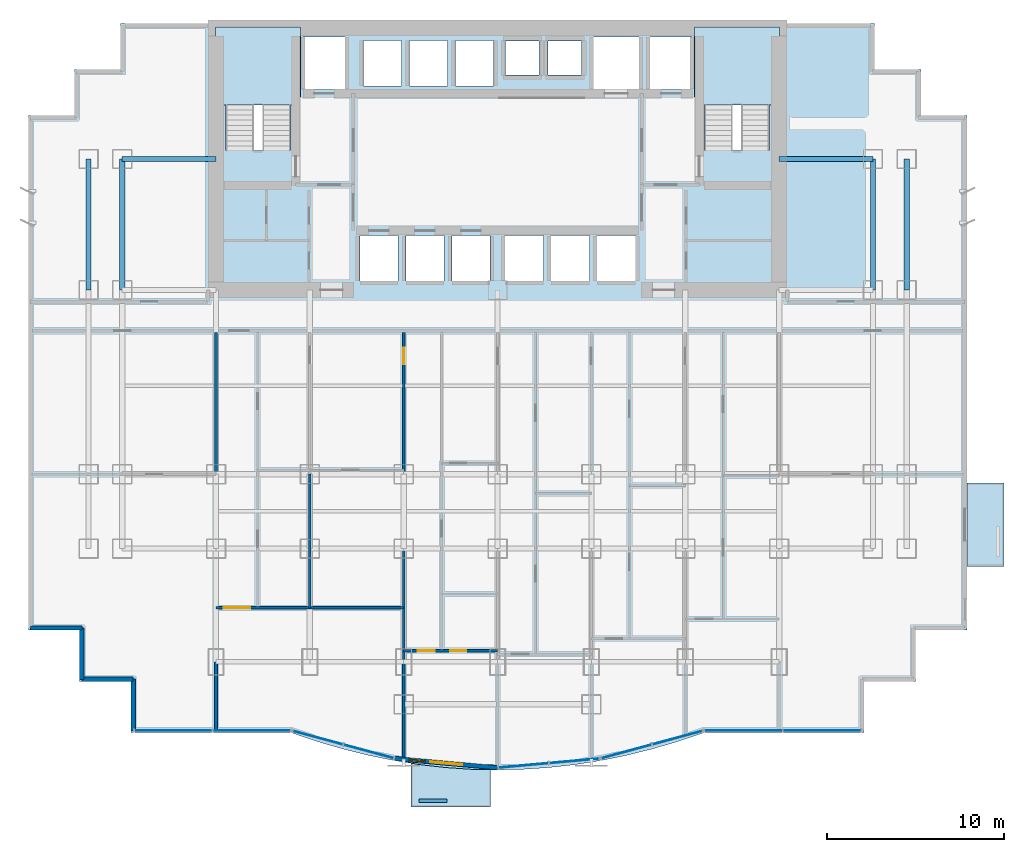
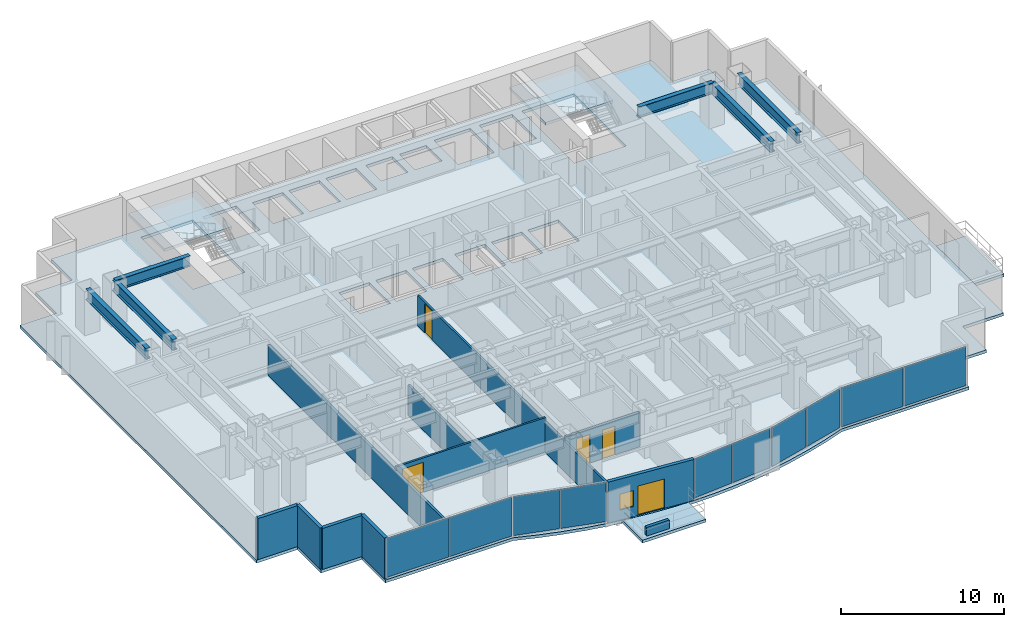
# One storey, part 4 of 10: 11 walls, 10 plates, 6 beams, 5 doors, 5 slabs, 1 window, 6 openings, 7 elements without a shape of their own.
"""IFC4 building model written with IfcOpenShell, lengths in metres."""

import ifcopenshell
import ifcopenshell.guid

model = None  # the IFC model being written
_history = None  # IfcOwnerHistory: only IFC2X3 demands one
_inside = {}  # id of a spatial element -> (the spatial element, [elements in it])
_under = {}  # id of a project, library or spatial element -> (it, [spatial elements below it])
_declared = {}  # id of a project -> (the project, [libraries it declares])
_typed = {}  # id of a type object -> (the type object, [elements of that type])
_made_of = {}  # id of a material, layer set ... -> (it, [elements and type objects made of it])


def new_model(schema):
    """Start an empty IFC model of exactly this schema.

    Asked for "IFC4X3", IfcOpenShell would pick the latest addendum, in which some entities
    have other attributes; the version numbers below select the first issue.
    IFC2X3 requires an IfcOwnerHistory on every rooted entity: one is made here for all.
    """
    global model, _history
    if schema == "IFC4X3":
        model = ifcopenshell.file(schema_version=(4, 3, 0, 0))
    else:
        model = ifcopenshell.file(schema=schema)
    _inside.clear()
    _under.clear()
    _declared.clear()
    _typed.clear()
    _made_of.clear()
    _history = None
    if model.schema == "IFC2X3":
        org = make("IfcOrganization", Name="unknown")
        user = make(
            "IfcPersonAndOrganization",
            ThePerson=make("IfcPerson", FamilyName="unknown"),
            TheOrganization=org,
        )
        app = make(
            "IfcApplication",
            ApplicationDeveloper=org,
            Version="unknown",
            ApplicationFullName="unknown",
            ApplicationIdentifier="unknown",
        )
        _history = make(
            "IfcOwnerHistory",
            OwningUser=user,
            OwningApplication=app,
            ChangeAction="ADDED",
            CreationDate=0,
        )
    return model


def make(cls, **values):
    """One entity of the class cls with the attributes given. An attribute that is None is left unset."""
    return model.create_entity(
        cls, **{name: value for name, value in values.items() if value is not None}
    )


def rooted(cls, **values):
    """An entity with a GlobalId (a new one), such as an element, a storey or a relation."""
    return make(cls, GlobalId=ifcopenshell.guid.new(), OwnerHistory=_history, **values)


def si_unit(unit_type, name, prefix=None):
    """IfcSIUnit, for example si_unit("LENGTHUNIT", "METRE", prefix="MILLI")."""
    return make("IfcSIUnit", UnitType=unit_type, Prefix=prefix, Name=name)


def assignment(units):
    """IfcUnitAssignment: the units of a project."""
    return None if units is None else make("IfcUnitAssignment", Units=units)


def point(xyz):
    """IfcCartesianPoint."""
    return None if xyz is None else make("IfcCartesianPoint", Coordinates=xyz)


def direction(xyz):
    """IfcDirection."""
    return None if xyz is None else make("IfcDirection", DirectionRatios=xyz)


def frame(location, z_axis=None, x_axis=None):
    """IfcAxis2Placement3D, a coordinate frame: its origin and axes. An axis left out is left unset."""
    return make(
        "IfcAxis2Placement3D",
        Location=point(location),
        Axis=direction(z_axis),
        RefDirection=direction(x_axis),
    )


def frame_2d(location, x_axis=None):
    """IfcAxis2Placement2D, a coordinate frame in the plane: its origin and x axis."""
    return make(
        "IfcAxis2Placement2D", Location=point(location), RefDirection=direction(x_axis)
    )


def origin():
    """The frame at (0, 0, 0) with its axes left unset."""
    return frame((0.0, 0.0, 0.0))


def origin_2d():
    """The frame at (0, 0) in the plane with its x axis left unset."""
    return frame_2d((0.0, 0.0))


def place(relative_to, where):
    """IfcLocalPlacement: puts the frame where relative to a parent placement (None: the world)."""
    return make(
        "IfcLocalPlacement", PlacementRelTo=relative_to, RelativePlacement=where
    )


def context(
    kind, dimensions, precision=None, world=None, true_north=None, identifier=None
):
    """IfcGeometricRepresentationContext, for example the 3D "Model" context."""
    return make(
        "IfcGeometricRepresentationContext",
        ContextIdentifier=identifier,
        ContextType=kind,
        CoordinateSpaceDimension=dimensions,
        Precision=precision,
        WorldCoordinateSystem=world,
        TrueNorth=true_north,
    )


def subcontext(parent, identifier, kind, view, scale=None):
    """IfcGeometricRepresentationSubContext, for example "Body" below "Model"."""
    return make(
        "IfcGeometricRepresentationSubContext",
        ContextIdentifier=identifier,
        ContextType=kind,
        ParentContext=parent,
        TargetScale=scale,
        TargetView=view,
    )


def project(units=None, contexts=None):
    """IfcProject with its units and contexts."""
    return rooted(
        "IfcProject",
        Name="project",
        RepresentationContexts=contexts,
        UnitsInContext=assignment(units),
    )


def spatial(cls, under=None, at=None, **own):
    """A site, building, storey or space (cls), placed at a placement, below another one or the project."""
    s = rooted(cls, ObjectPlacement=at, **own)
    if under is not None:
        _under.setdefault(under.id(), (under, []))[1].append(s)
    return s


def polyline(points):
    """IfcPolyline through the points."""
    return make("IfcPolyline", Points=[point(p) for p in points])


def profile(cls, at=None, kind="AREA", **sizes):
    """A parametric profile (cls). Its sizes go by their IFC names, for example OverallWidth=200.0."""
    return make(cls, ProfileType=kind, Position=at, **sizes)


def rectangle(**sizes):
    """IfcRectangleProfileDef."""
    return profile("IfcRectangleProfileDef", **sizes)


def i_section(**sizes):
    """IfcIShapeProfileDef."""
    return profile("IfcIShapeProfileDef", **sizes)


def outline(outer, holes=None, kind="AREA"):
    """IfcArbitraryClosedProfileDef: a profile drawn as a closed curve; with holes, ...WithVoids."""
    if holes is None:
        return make("IfcArbitraryClosedProfileDef", ProfileType=kind, OuterCurve=outer)
    return make(
        "IfcArbitraryProfileDefWithVoids",
        ProfileType=kind,
        OuterCurve=outer,
        InnerCurves=holes,
    )


def extrude(swept, where, along, depth):
    """IfcExtrudedAreaSolid: the profile swept, set in the frame where, extruded along a direction by depth."""
    return make(
        "IfcExtrudedAreaSolid",
        SweptArea=swept,
        Position=where,
        ExtrudedDirection=direction(along),
        Depth=depth,
    )


def shape(context_of_items, identifier, shape_type, items):
    """IfcShapeRepresentation: the items that make up one representation, for example the "Body"."""
    return make(
        "IfcShapeRepresentation",
        ContextOfItems=context_of_items,
        RepresentationIdentifier=identifier,
        RepresentationType=shape_type,
        Items=items,
    )


def source(mapping_origin, context_of_items, identifier, shape_type, items):
    """IfcRepresentationMap: a shape defined once, which mapped items show again and again."""
    return make(
        "IfcRepresentationMap",
        MappingOrigin=mapping_origin,
        MappedRepresentation=shape(context_of_items, identifier, shape_type, items),
    )


def transform(
    local_origin,
    x_axis=None,
    y_axis=None,
    z_axis=None,
    scale=None,
    scale2=None,
    scale3=None,
    uniform=True,
):
    """IfcCartesianTransformationOperator3D, or its non-uniform kind. x_axis, y_axis, z_axis: its Axis1, 2, 3."""
    if uniform:
        return make(
            "IfcCartesianTransformationOperator3D",
            Axis1=direction(x_axis),
            Axis2=direction(y_axis),
            LocalOrigin=point(local_origin),
            Scale=scale,
            Axis3=direction(z_axis),
        )
    return make(
        "IfcCartesianTransformationOperator3DnonUniform",
        Axis1=direction(x_axis),
        Axis2=direction(y_axis),
        LocalOrigin=point(local_origin),
        Scale=scale,
        Axis3=direction(z_axis),
        Scale2=scale2,
        Scale3=scale3,
    )


def mapped(mapping_source, mapping_target):
    """IfcMappedItem: shows the shape of a source again, moved by a transform."""
    return make(
        "IfcMappedItem", MappingSource=mapping_source, MappingTarget=mapping_target
    )


def material(Name=None, Category=None):
    """IfcMaterial."""
    return make("IfcMaterial", Name=Name, Category=Category)


def layer(
    of_material, thickness, ventilated=None, Name=None, Category=None, Priority=None
):
    """IfcMaterialLayer: one layer of a wall or slab, of a material (None: an air gap)."""
    return make(
        "IfcMaterialLayer",
        Material=of_material,
        LayerThickness=thickness,
        IsVentilated=ventilated,
        Name=Name,
        Category=Category,
        Priority=Priority,
    )


def layer_set(layers, Name=None):
    """IfcMaterialLayerSet."""
    return make("IfcMaterialLayerSet", MaterialLayers=layers, LayerSetName=Name)


def material_profile(
    of_material, cross_section, Name=None, Category=None, Priority=None
):
    """IfcMaterialProfile: a cross section and its material."""
    return make(
        "IfcMaterialProfile",
        Name=Name,
        Material=of_material,
        Profile=cross_section,
        Priority=Priority,
        Category=Category,
    )


def profile_set(profiles, Name=None, composite=None):
    """IfcMaterialProfileSet."""
    return make(
        "IfcMaterialProfileSet",
        Name=Name,
        MaterialProfiles=profiles,
        CompositeProfile=composite,
    )


def made_of(thing, what):
    """Note that an element or type object is made of a material, layer set ...; save() writes the relation."""
    if what is not None:
        _made_of.setdefault(what.id(), (what, []))[1].append(thing)
    return thing


def type_object(cls, material=None, **own):
    """A type object (cls), such as IfcWallType, which elements share."""
    return made_of(rooted(cls, **own), material)


def element(
    cls,
    number,
    at=None,
    inside=None,
    cuts=None,
    type_object=None,
    material=None,
    context=None,
    identifier="Body",
    shape_type=None,
    held_by="IfcProductDefinitionShape",
    body=None,
    shapes=None,
    **own,
):
    """One element of the class cls, such as IfcWall. Its Tag is "e" and its number.

    at: its placement. inside: the storey or other place that contains it. cuts: it is an
    opening in that element (IfcRelVoidsElement). A single representation is given by context,
    identifier, shape_type and body (its items); several are given by shapes. held_by: the class
    of the entity that holds the representations. save() writes the other relations.
    """
    e = rooted(cls, Tag="e%d" % number, ObjectPlacement=at, **own)
    if body is not None:
        shapes = [shape(context, identifier, shape_type, body)]
    if shapes is not None:
        e.Representation = make(held_by, Representations=shapes)
    if inside is not None:
        _inside.setdefault(inside.id(), (inside, []))[1].append(e)
    if cuts is not None:
        rooted(
            "IfcRelVoidsElement", RelatingBuildingElement=cuts, RelatedOpeningElement=e
        )
    if type_object is not None:
        _typed.setdefault(type_object.id(), (type_object, []))[1].append(e)
    return made_of(e, material)


def fill(opening, filler):
    """IfcRelFillsElement: the door or window that sits in an opening."""
    return rooted(
        "IfcRelFillsElement",
        RelatingOpeningElement=opening,
        RelatedBuildingElement=filler,
    )


def aggregate(whole, parts):
    """IfcRelAggregates: a whole, such as a stair, and the parts it consists of."""
    return rooted("IfcRelAggregates", RelatingObject=whole, RelatedObjects=parts)


def save(model, path):
    """Write the relations noted so far, then the file.

    IfcRelAggregates (storeys below a building ...), IfcRelContainedInSpatialStructure (elements
    in a storey), IfcRelDefinesByType, IfcRelAssociatesMaterial and IfcRelDeclares: one each for
    every whole, place, type object, material and project.
    """
    for whole, parts in _under.values():
        aggregate(whole, parts)
    for where, things in _inside.values():
        rooted(
            "IfcRelContainedInSpatialStructure",
            RelatedElements=things,
            RelatingStructure=where,
        )
    for kind, things in _typed.values():
        rooted("IfcRelDefinesByType", RelatedObjects=things, RelatingType=kind)
    for what, things in _made_of.values():
        rooted("IfcRelAssociatesMaterial", RelatedObjects=things, RelatingMaterial=what)
    for by, libraries in _declared.values():
        rooted("IfcRelDeclares", RelatingContext=by, RelatedDefinitions=libraries)
    model.write(path)


model = new_model("IFC4")

# Units and contexts
model_context = context("Model", 3, precision=1e-05, world=origin(), true_north=direction((0.0, 1.0)))
body_context = subcontext(model_context, "Body", "Model", "MODEL_VIEW")
ifc_project = project(units=[si_unit("LENGTHUNIT", "METRE"), si_unit("AREAUNIT", "SQUARE_METRE"), si_unit("VOLUMEUNIT", "CUBIC_METRE"), si_unit("PLANEANGLEUNIT", "RADIAN"), si_unit("MASSUNIT", "GRAM", prefix="KILO")], contexts=[model_context])

# Site, building, storey
site_placement = place(None, origin())
site = spatial("IfcSite", under=ifc_project, at=site_placement, CompositionType="ELEMENT")
building_placement = place(site_placement, origin())
building = spatial("IfcBuilding", under=site, at=building_placement, Name="Qianlan Lanfeng Residences", CompositionType="ELEMENT")
storey_placement = place(building_placement, frame((0.0, 0.0, 53.89990234375)))
storey = spatial("IfcBuildingStorey", under=building, at=storey_placement, Name="L14", CompositionType="ELEMENT", Elevation=53.89990234375)

# Beams
ifc_material_1 = material(Name="Steel SN490B", Category="steel")
ifc_material_profile = material_profile(ifc_material_1, i_section(OverallWidth=0.300048828125, OverallDepth=0.800048828125, WebThickness=0.01611328125, FlangeThickness=0.028076171875, at=origin_2d()), Name="H 800x300x16x28")
ifc_profile_set = profile_set([ifc_material_profile], Name="Steel SN490B")
beam_type = type_object("IfcBeamType", Name="G-950", PredefinedType="BEAM", material=ifc_profile_set)
for number, where, z_axis, x_axis, name in (
    (1, (5.300048828125, 32.60009765625, 2.68017578125), (1.0, 0.0, 0.0), (0.0, 1.0, 0.0), "Structural beam G-950"),
    (2, (42.39990234375, 32.60009765625, 2.68017578125), (1.0, 0.0, 0.0), (0.0, 1.0, 0.0), "Structural beam G-950"),
):
    element("IfcBeam", number, at=place(storey_placement, frame(where, z_axis=z_axis, x_axis=x_axis)), inside=storey, type_object=beam_type, Name=name, PredefinedType="BEAM", context=body_context, shape_type="SweptSolid", body=[
        extrude(i_section(OverallWidth=0.300048828125, OverallDepth=0.800048828125, WebThickness=0.01611328125, FlangeThickness=0.028076171875, at=origin_2d()), origin(), (0.0, 0.0, 1.0), 5.300048828125),
    ])
for number, where, z_axis, x_axis, name in (
    (3, (3.39990234375, 25.199951171875, 2.68017578125), (0.0, 1.0, 0.0), (-1.0, 0.0, 0.0), "Structural beam G-950"),
    (4, (5.300048828125, 25.199951171875, 2.68017578125), (0.0, 1.0, 0.0), (-1.0, 0.0, 0.0), "Structural beam G-950"),
    (5, (47.699951171875, 25.199951171875, 2.68017578125), (0.0, 1.0, 0.0), (-1.0, 0.0, 0.0), "Structural beam G-950"),
    (6, (49.60009765625, 25.199951171875, 2.68017578125), (0.0, 1.0, 0.0), (-1.0, 0.0, 0.0), "Structural beam G-950"),
):
    element("IfcBeam", number, at=place(storey_placement, frame(where, z_axis=z_axis, x_axis=x_axis)), inside=storey, type_object=beam_type, Name=name, PredefinedType="BEAM", context=body_context, shape_type="SweptSolid", body=[
        extrude(i_section(OverallWidth=0.300048828125, OverallDepth=0.800048828125, WebThickness=0.01611328125, FlangeThickness=0.028076171875, at=origin_2d()), origin(), (0.0, 0.0, 1.0), 7.400146484375),
    ])

# Slabs
ifc_material_2 = material(Name="Concrete C42", Category="concrete")
ifc_layer_1 = layer(ifc_material_2, 0.219970703125)
ifc_layer_set_1 = layer_set([ifc_layer_1], Name="Concrete C42")
slab_type_1 = type_object("IfcSlabType", Name="S-BAL-220", PredefinedType="FLOOR", material=ifc_layer_set_1)
slab_1_placement = place(storey_placement, frame((0.0, 0.0, -0.219970703125)))
element("IfcSlab", 7, at=slab_1_placement, inside=storey, type_object=slab_type_1, Name="L14 Planted Tree Balcony Slab SB-C", PredefinedType="FLOOR", context=body_context, shape_type="SweptSolid", body=[
    extrude(outline(polyline([(26.10009765625, -1.89111328125), (25.0439453125, -1.866943359375), (23.5869140625, -1.76904296875), (22.131103515625, -1.60498046875), (21.60009765625, -1.52099609375), (21.60009765625, -4.0), (26.10009765625, -4.0), (26.10009765625, -1.89111328125)])), origin(), (0.0, 0.0, 1.0), 0.219970703125),
])
slab_2_placement = place(storey_placement, frame((0.0, 0.0, -0.219970703125)))
element("IfcSlab", 8, at=slab_2_placement, inside=storey, type_object=slab_type_1, Name="L14 Planted Tree Balcony Slab EB-S", PredefinedType="FLOOR", context=body_context, shape_type="SweptSolid", body=[
    extrude(outline(polyline([(53.0, 14.300048828125), (53.0, 9.60009765625), (55.10009765625, 9.60009765625), (55.10009765625, 14.300048828125), (53.0, 14.300048828125)])), origin(), (0.0, 0.0, 1.0), 0.219970703125),
])
ifc_layer_2 = layer(ifc_material_2, 0.219970703125)
ifc_layer_set_2 = layer_set([ifc_layer_2], Name="Concrete C42")
slab_type_2 = type_object("IfcSlabType", Name="S-FL-220", PredefinedType="FLOOR", material=ifc_layer_set_2)
slab_3_placement = place(storey_placement, frame((0.0, 0.0, -0.219970703125)))
element("IfcSlab", 9, at=slab_3_placement, inside=storey, type_object=slab_type_2, Name="L14 Structural Floor Slab", PredefinedType="FLOOR", context=body_context, shape_type="SweptSolid", body=[
    extrude(outline(polyline([(0.0, 6.0), (2.89990234375, 6.0), (2.89990234375, 3.10009765625), (5.800048828125, 3.10009765625), (5.800048828125, 0.199951171875), (14.85009765625, 0.199951171875), (16.305908203125, -0.2919921875), (17.761962890625, -0.718994140625), (19.218994140625, -1.080078125), (20.675048828125, -1.375), (22.131103515625, -1.60498046875), (23.5869140625, -1.76904296875), (25.0439453125, -1.866943359375), (26.5, -1.89990234375), (27.9560546875, -1.866943359375), (29.412109375, -1.76904296875), (30.868896484375, -1.60498046875), (32.324951171875, -1.375), (33.781005859375, -1.080078125), (35.237060546875, -0.718994140625), (36.694091796875, -0.2919921875), (38.14990234375, 0.199951171875), (47.199951171875, 0.199951171875), (47.199951171875, 3.10009765625), (50.10009765625, 3.10009765625), (50.10009765625, 6.0), (53.0, 6.0), (53.0, 35.050048828125), (50.39990234375, 35.050048828125), (50.39990234375, 37.64990234375), (47.800048828125, 37.64990234375), (47.800048828125, 40.25), (5.199951171875, 40.25), (5.199951171875, 37.64990234375), (2.60009765625, 37.64990234375), (2.60009765625, 35.050048828125), (0.0, 35.050048828125), (0.0, 6.0)]), holes=[polyline([(11.139892578125, 33.080078125), (11.139892578125, 39.5), (14.820068359375, 39.5), (14.820068359375, 33.080078125), (11.139892578125, 33.080078125)]), polyline([(38.179931640625, 33.080078125), (38.179931640625, 39.5), (41.860107421875, 39.5), (41.860107421875, 33.080078125), (38.179931640625, 33.080078125)]), polyline([(15.52001953125, 36.52001953125), (15.52001953125, 39.47998046875), (17.8798828125, 39.47998046875), (17.8798828125, 36.52001953125), (15.52001953125, 36.52001953125)]), polyline([(35.1201171875, 36.52001953125), (35.1201171875, 39.47998046875), (37.47998046875, 39.47998046875), (37.47998046875, 36.52001953125), (35.1201171875, 36.52001953125)]), polyline([(31.919921875, 36.52001953125), (31.919921875, 39.47998046875), (34.47998046875, 39.47998046875), (34.47998046875, 36.52001953125), (31.919921875, 36.52001953125)]), polyline([(18.719970703125, 25.719970703125), (18.719970703125, 28.280029296875), (20.8798828125, 28.280029296875), (20.8798828125, 25.719970703125), (18.719970703125, 25.719970703125)]), polyline([(21.320068359375, 25.719970703125), (21.320068359375, 28.280029296875), (23.47998046875, 28.280029296875), (23.47998046875, 25.719970703125), (21.320068359375, 25.719970703125)]), polyline([(23.919921875, 25.719970703125), (23.919921875, 28.280029296875), (26.080078125, 28.280029296875), (26.080078125, 25.719970703125), (23.919921875, 25.719970703125)]), polyline([(26.919921875, 25.719970703125), (26.919921875, 28.280029296875), (29.080078125, 28.280029296875), (29.080078125, 25.719970703125), (26.919921875, 25.719970703125)]), polyline([(29.52001953125, 25.719970703125), (29.52001953125, 28.280029296875), (31.679931640625, 28.280029296875), (31.679931640625, 25.719970703125), (29.52001953125, 25.719970703125)]), polyline([(32.1201171875, 25.719970703125), (32.1201171875, 28.280029296875), (34.280029296875, 28.280029296875), (34.280029296875, 25.719970703125), (32.1201171875, 25.719970703125)]), polyline([(18.919921875, 36.719970703125), (18.919921875, 39.280029296875), (21.080078125, 39.280029296875), (21.080078125, 36.719970703125), (18.919921875, 36.719970703125)]), polyline([(21.52001953125, 36.719970703125), (21.52001953125, 39.280029296875), (23.679931640625, 39.280029296875), (23.679931640625, 36.719970703125), (21.52001953125, 36.719970703125)]), polyline([(24.1201171875, 36.719970703125), (24.1201171875, 39.280029296875), (26.280029296875, 39.280029296875), (26.280029296875, 36.719970703125), (24.1201171875, 36.719970703125)]), polyline([(26.949951171875, 37.35009765625), (26.949951171875, 39.25), (28.85009765625, 39.25), (28.85009765625, 37.35009765625), (26.949951171875, 37.35009765625)]), polyline([(29.35009765625, 37.35009765625), (29.35009765625, 39.25), (31.25, 39.25), (31.25, 37.35009765625), (29.35009765625, 37.35009765625)])]), origin(), (0.0, 0.0, 1.0), 0.219970703125),
])

# Stair, slab
stair_type = type_object("IfcStairType", Name="STR-MAIN", PredefinedType="HALF_TURN_STAIR", material=ifc_material_2)
stair_1_placement = place(storey_placement, origin())
stair_1 = element("IfcStair", 10, at=stair_1_placement, inside=storey, type_object=stair_type, Name="L14 Exit Stair ST-1", PredefinedType="HALF_TURN_STAIR")
ifc_layer_3 = layer(ifc_material_2, 0.179931640625)
ifc_layer_set_3 = layer_set([ifc_layer_3], Name="Concrete C42")
slab_type_3 = type_object("IfcSlabType", Name="S-LND-180", PredefinedType="LANDING", material=ifc_layer_set_3)
slab_4_placement = place(storey_placement, frame((0.0, 0.0, 1.4501953125)))
slab_4 = element("IfcSlab", 11, at=slab_4_placement, type_object=slab_type_3, Name="ST-1 landing 1", PredefinedType="LANDING", context=body_context, shape_type="SweptSolid", body=[
    extrude(outline(polyline([(10.580078125, 35.659912109375), (15.3798828125, 35.659912109375), (15.3798828125, 40.050048828125), (10.580078125, 40.050048828125), (10.580078125, 35.659912109375)])), origin(), (0.0, 0.0, 1.0), 0.199951171875),
])
aggregate(stair_1, [slab_4])

stair_2_placement = place(storey_placement, origin())
stair_2 = element("IfcStair", 12, at=stair_2_placement, inside=storey, type_object=stair_type, Name="L14 Exit Stair ST-2", PredefinedType="HALF_TURN_STAIR")
slab_5_placement = place(storey_placement, frame((0.0, 0.0, 1.4501953125)))
slab_5 = element("IfcSlab", 13, at=slab_5_placement, type_object=slab_type_3, Name="ST-2 landing 1", PredefinedType="LANDING", context=body_context, shape_type="SweptSolid", body=[
    extrude(outline(polyline([(37.6201171875, 35.659912109375), (42.419921875, 35.659912109375), (42.419921875, 40.050048828125), (37.6201171875, 40.050048828125), (37.6201171875, 35.659912109375)])), origin(), (0.0, 0.0, 1.0), 0.199951171875),
])
aggregate(stair_2, [slab_5])

# Curtain wall, plate
ifc_material_3 = material(Name="Anodised Bronze Aluminium 6063-T6", Category="aluminium")
ifc_layer_4 = layer(ifc_material_3, 0.219970703125)
ifc_layer_set_4 = layer_set([ifc_layer_4], Name="Anodised Bronze Aluminium 6063-T6")
curtain_wall_type = type_object("IfcCurtainWallType", Name="CW-02", PredefinedType="NOTDEFINED", material=ifc_layer_set_4)
curtain_wall_1_placement = place(storey_placement, origin())
curtain_wall_1 = element("IfcCurtainWall", 14, at=curtain_wall_1_placement, inside=storey, type_object=curtain_wall_type, Name="L14 Unitised Curtain Wall CWR-L14-02 (CW-02)", PredefinedType="NOTDEFINED")
ifc_material_4 = material(Name="Dark Bronze Tinted Insulated Glass", Category="glass")
ifc_layer_5 = layer(ifc_material_4, 0.0380859375)
ifc_layer_set_5 = layer_set([ifc_layer_5], Name="Dark Bronze Tinted Insulated Glass")
plate_type_1 = type_object("IfcPlateType", Name="PNL-GLZ-BRZ", PredefinedType="CURTAIN_PANEL", material=ifc_layer_set_5)
shared_shape_1 = source(origin(), body_context, "Body", "SweptSolid", [
    extrude(rectangle(XDim=2.89990234375, YDim=0.0380859375, at=origin_2d()), origin(), (0.0, 0.0, 1.0), 2.922119140625),
])
plate_1_placement = place(storey_placement, frame((16.345703125, -0.07958984375, 0.0791015625), z_axis=(0.0, 0.0, 1.0), x_axis=(0.9652627173, -0.261281240412, 0.0)))
plate_1 = element("IfcPlate", 15, at=plate_1_placement, type_object=plate_type_1, Name="CWR-L14-02 Curtain Panel 1", PredefinedType="CURTAIN_PANEL", context=body_context, shape_type="MappedRepresentation", body=[
    mapped(shared_shape_1, transform((0.0, 0.0, 0.0), scale=1.0)),
])

curtain_wall_2_placement = place(storey_placement, origin())
curtain_wall_2 = element("IfcCurtainWall", 16, at=curtain_wall_2_placement, inside=storey, type_object=curtain_wall_type, Name="L14 Unitised Curtain Wall CWR-L14-04 (CW-02)", PredefinedType="NOTDEFINED")
plate_2_placement = place(storey_placement, frame((33.77978515625, -0.857421875, 0.0791015625), z_axis=(0.0, 0.0, 1.0), x_axis=(0.9652627173, 0.261281240412, 0.0)))
plate_2 = element("IfcPlate", 17, at=plate_2_placement, type_object=plate_type_1, Name="CWR-L14-04 Curtain Panel 1", PredefinedType="CURTAIN_PANEL", context=body_context, shape_type="MappedRepresentation", body=[
    mapped(shared_shape_1, transform((0.0, 0.0, 0.0), scale=1.0)),
])

# Curtain wall, plates
curtain_wall_3_placement = place(storey_placement, origin())
curtain_wall_3 = element("IfcCurtainWall", 18, at=curtain_wall_3_placement, inside=storey, type_object=curtain_wall_type, Name="L14 Unitised Curtain Wall CWR-L14-03 (CW-02)", PredefinedType="NOTDEFINED")
shared_shape_2 = source(origin(), body_context, "Body", "SweptSolid", [
    extrude(rectangle(XDim=2.7958984375, YDim=0.0380859375, at=origin_2d()), origin(), (0.0, 0.0, 1.0), 2.922119140625),
])
plate_3_placement = place(storey_placement, frame((27.970947265625, -1.6474609375, 0.0791015625), z_axis=(0.0, 0.0, 1.0), x_axis=(0.995964677764, 0.089746089862, 0.0)))
plate_3 = element("IfcPlate", 19, at=plate_3_placement, type_object=plate_type_1, Name="CWR-L14-03 Curtain Panel 1", PredefinedType="CURTAIN_PANEL", context=body_context, shape_type="MappedRepresentation", body=[
    mapped(shared_shape_2, transform((0.0, 0.0, 0.0), scale=1.0)),
])
shared_shape_3 = source(origin(), body_context, "Body", "SweptSolid", [
    extrude(rectangle(XDim=2.795654296875, YDim=0.0380859375, at=origin_2d()), origin(), (0.0, 0.0, 1.0), 2.922119140625),
])
plate_4_placement = place(storey_placement, frame((30.8330078125, -1.389404296875, 0.0791015625), z_axis=(0.0, 0.0, 1.0), x_axis=(0.995964677764, 0.089746089862, 0.0)))
plate_4 = element("IfcPlate", 20, at=plate_4_placement, type_object=plate_type_1, Name="CWR-L14-03 Curtain Panel 2", PredefinedType="CURTAIN_PANEL", context=body_context, shape_type="MappedRepresentation", body=[
    mapped(shared_shape_3, transform((0.0, 0.0, 0.0), scale=1.0)),
])
aggregate(curtain_wall_3, [plate_3, plate_4])

curtain_wall_4_placement = place(storey_placement, origin())
curtain_wall_4 = element("IfcCurtainWall", 21, at=curtain_wall_4_placement, inside=storey, type_object=curtain_wall_type, Name="L14 Unitised Curtain Wall CWR-L14-01 (CW-02)", PredefinedType="NOTDEFINED")
shared_shape_4 = source(origin(), body_context, "Body", "SweptSolid", [
    extrude(rectangle(XDim=4.35693359375, YDim=0.0380859375, at=origin_2d()), origin(), (0.0, 0.0, 1.0), 2.922119140625),
])
plate_5_placement = place(storey_placement, frame((8.177490234375, 0.320068359375, 0.0791015625), z_axis=(0.0, 0.0, 1.0), x_axis=(1.0, 0.0, 0.0)))
plate_5 = element("IfcPlate", 22, at=plate_5_placement, type_object=plate_type_1, Name="CWR-L14-01 Curtain Panel 1", PredefinedType="CURTAIN_PANEL", context=body_context, shape_type="MappedRepresentation", body=[
    mapped(shared_shape_4, transform((0.0, 0.0, 0.0), scale=1.0)),
])
plate_6_placement = place(storey_placement, frame((12.612548828125, 0.320068359375, 0.0791015625), z_axis=(0.0, 0.0, 1.0), x_axis=(1.0, 0.0, 0.0)))
plate_6 = element("IfcPlate", 23, at=plate_6_placement, type_object=plate_type_1, Name="CWR-L14-01 Curtain Panel 2", PredefinedType="CURTAIN_PANEL", context=body_context, shape_type="MappedRepresentation", body=[
    mapped(shared_shape_4, transform((0.0, 0.0, 0.0), scale=1.0)),
])
aggregate(curtain_wall_4, [plate_5, plate_6])

curtain_wall_5_placement = place(storey_placement, origin())
curtain_wall_5 = element("IfcCurtainWall", 24, at=curtain_wall_5_placement, inside=storey, type_object=curtain_wall_type, Name="L14 Unitised Curtain Wall CWR-L14-05 (CW-02)", PredefinedType="NOTDEFINED")
plate_7_placement = place(storey_placement, frame((40.387451171875, 0.320068359375, 0.0791015625), z_axis=(0.0, 0.0, 1.0), x_axis=(1.0, 0.0, 0.0)))
plate_7 = element("IfcPlate", 25, at=plate_7_placement, type_object=plate_type_1, Name="CWR-L14-05 Curtain Panel 1", PredefinedType="CURTAIN_PANEL", context=body_context, shape_type="MappedRepresentation", body=[
    mapped(shared_shape_4, transform((0.0, 0.0, 0.0), scale=1.0)),
])
plate_8_placement = place(storey_placement, frame((44.822509765625, 0.320068359375, 0.0791015625), z_axis=(0.0, 0.0, 1.0), x_axis=(1.0, 0.0, 0.0)))
plate_8 = element("IfcPlate", 26, at=plate_8_placement, type_object=plate_type_1, Name="CWR-L14-05 Curtain Panel 2", PredefinedType="CURTAIN_PANEL", context=body_context, shape_type="MappedRepresentation", body=[
    mapped(shared_shape_4, transform((0.0, 0.0, 0.0), scale=1.0)),
])
aggregate(curtain_wall_5, [plate_7, plate_8])

# Plate
ifc_material_5 = material(Name="Perforated Champagne Gold Aluminium Panel", Category="aluminium")
ifc_layer_6 = layer(ifc_material_5, 0.0400390625)
ifc_layer_set_6 = layer_set([ifc_layer_6], Name="Perforated Champagne Gold Aluminium Panel")
plate_type_2 = type_object("IfcPlateType", Name="PNL-PRF-GLD", PredefinedType="CURTAIN_PANEL", material=ifc_layer_set_6)
shared_shape_5 = source(origin(), body_context, "Body", "SweptSolid", [
    extrude(rectangle(XDim=2.89990234375, YDim=0.0400390625, at=origin_2d()), origin(), (0.0, 0.0, 1.0), 2.922119140625),
])
plate_9_placement = place(storey_placement, frame((19.22021484375, -0.857421875, 0.0791015625), z_axis=(0.0, 0.0, 1.0), x_axis=(0.9652627173, -0.261281240412, 0.0)))
plate_9 = element("IfcPlate", 27, at=plate_9_placement, type_object=plate_type_2, Name="CWR-L14-02 Curtain Panel 2", PredefinedType="CURTAIN_PANEL", context=body_context, shape_type="MappedRepresentation", body=[
    mapped(shared_shape_5, transform((0.0, 0.0, 0.0), scale=1.0)),
])

aggregate(curtain_wall_1, [plate_1, plate_9])

plate_10_placement = place(storey_placement, frame((36.654296875, -0.07958984375, 0.0791015625), z_axis=(0.0, 0.0, 1.0), x_axis=(0.9652627173, 0.261281240412, 0.0)))
plate_10 = element("IfcPlate", 28, at=plate_10_placement, type_object=plate_type_2, Name="CWR-L14-04 Curtain Panel 2", PredefinedType="CURTAIN_PANEL", context=body_context, shape_type="MappedRepresentation", body=[
    mapped(shared_shape_5, transform((0.0, 0.0, 0.0), scale=1.0)),
])

aggregate(curtain_wall_2, [plate_2, plate_10])

# Walls
ifc_layer_7 = layer(ifc_material_2, 0.239990234375)
ifc_layer_set_7 = layer_set([ifc_layer_7], Name="Concrete C42")
wall_type_1 = type_object("IfcWallType", Name="EW-240", PredefinedType="SOLIDWALL", material=ifc_layer_set_7)
wall_1_placement = place(storey_placement, frame((0.1201171875, 6.1201171875, 0.0), z_axis=(0.0, 0.0, 1.0), x_axis=(1.0, 0.0, 0.0)))
element("IfcWall", 29, at=wall_1_placement, inside=storey, type_object=wall_type_1, Name="L14 Exterior Facade Spandrel Wall 1", PredefinedType="SOLIDWALL", context=body_context, shape_type="SweptSolid", body=[
    extrude(rectangle(XDim=2.89990234375, YDim=0.239990234375, at=frame_2d((1.449951171875, 0.0))), origin(), (0.0, 0.0, 1.0), 3.080078125),
])
wall_2_placement = place(storey_placement, frame((3.02001953125, 6.1201171875, 0.0), z_axis=(0.0, 0.0, 1.0), x_axis=(0.0, -1.0, 0.0)))
element("IfcWall", 30, at=wall_2_placement, inside=storey, type_object=wall_type_1, Name="L14 Exterior Facade Spandrel Wall 2", PredefinedType="SOLIDWALL", context=body_context, shape_type="SweptSolid", body=[
    extrude(rectangle(XDim=2.900146484375, YDim=0.239990234375, at=frame_2d((1.4501953125, 0.0))), origin(), (0.0, 0.0, 1.0), 3.080078125),
])
for number, where, z_axis, x_axis, name in (
    (31, (3.02001953125, 3.219970703125, 0.0), (0.0, 0.0, 1.0), (1.0, 0.0, 0.0), "L14 Exterior Facade Spandrel Wall 3"),
    (32, (5.919921875, 3.219970703125, 0.0), (0.0, 0.0, 1.0), (0.0, -1.0, 0.0), "L14 Exterior Facade Spandrel Wall 4"),
):
    element("IfcWall", number, at=place(storey_placement, frame(where, z_axis=z_axis, x_axis=x_axis)), inside=storey, type_object=wall_type_1, Name=name, PredefinedType="SOLIDWALL", context=body_context, shape_type="SweptSolid", body=[
        extrude(rectangle(XDim=2.89990234375, YDim=0.239990234375, at=frame_2d((1.449951171875, 0.0))), origin(), (0.0, 0.0, 1.0), 3.080078125),
    ])

# Wall, openings, door, window
wall_3_placement = place(storey_placement, frame((20.696044921875, -1.257080078125, 0.0), z_axis=(0.0, 0.0, 1.0), x_axis=(0.995965344947, -0.089738685436, 0.0)))
wall_3 = element("IfcWall", 33, at=wall_3_placement, inside=storey, type_object=wall_type_1, Name="L14 Terrace/Balcony Access Exterior Wall 5", PredefinedType="SOLIDWALL", context=body_context, shape_type="SweptSolid", body=[
    extrude(rectangle(XDim=5.827392578125, YDim=0.239990234375, at=frame_2d((2.91357421875, 0.0))), origin(), (0.0, 0.0, 1.0), 3.080078125),
])
opening_1_placement = place(wall_3_placement, frame((2.013916015625, 0.0, 0.0)))
opening_1 = element("IfcOpeningElement", 34, at=opening_1_placement, cuts=wall_3, Name="Opening L14-D-SB-C", PredefinedType="OPENING", context=body_context, shape_type="SweptSolid", body=[
    extrude(rectangle(XDim=1.800048828125, YDim=2.199951171875, at=frame_2d((0.89990234375, 1.10009765625))), frame((0.0, 0.1298828125, 0.0), z_axis=(0.0, -1.0, 0.0), x_axis=(1.0, 0.0, 0.0)), (0.0, 0.0, 1.0), 0.260009765625),
])
opening_2_placement = place(wall_3_placement, frame((0.81103515625, 0.0, 0.75)))
opening_2 = element("IfcOpeningElement", 35, at=opening_2_placement, cuts=wall_3, Name="Opening W-04", PredefinedType="OPENING", context=body_context, shape_type="SweptSolid", body=[
    extrude(rectangle(XDim=0.89990234375, YDim=1.199951171875, at=frame_2d((0.449951171875, 0.60009765625))), frame((0.0, 0.1298828125, 0.0), z_axis=(0.0, -1.0, 0.0), x_axis=(1.0, 0.0, 0.0)), (0.0, 0.0, 1.0), 0.260009765625),
])
ifc_material_6 = material(Name="Anodised Bronze Aluminium Framed Glass", Category="aluminium")
door_type_1 = type_object("IfcDoorType", Name="DT-BAL1", OperationType="NOTDEFINED", PredefinedType="DOOR", material=ifc_material_6)
door_1_placement = place(opening_1_placement, frame((1.800048828125, 0.0, 0.0), z_axis=(0.0, 0.0, 1.0), x_axis=(-1.0, 0.0, 0.0)))
door_1 = element("IfcDoor", 36, at=door_1_placement, inside=storey, type_object=door_type_1, Name="L14 Exterior Access Door SB-C", OperationType="DOUBLE_DOOR_SLIDING", OverallHeight=2.199951171875, OverallWidth=1.800048828125, PredefinedType="DOOR", context=body_context, shape_type="SweptSolid", body=[
    extrude(rectangle(XDim=1.800048828125, YDim=2.199951171875, at=frame_2d((0.89990234375, 1.10009765625))), frame((0.0, 0.02490234375, 0.0), z_axis=(0.0, -1.0, 0.0), x_axis=(1.0, 0.0, 0.0)), (0.0, 0.0, 1.0), 0.050048828125),
])
fill(opening_1, door_1)
ifc_material_7 = material(Name="Anodised Bronze Aluminium Framed Double Glazing", Category="aluminium")
window_type = type_object("IfcWindowType", Name="W-04", PartitioningType="SINGLE_PANEL", PredefinedType="WINDOW", material=ifc_material_7)
window_placement = place(opening_2_placement, origin())
window = element("IfcWindow", 37, at=window_placement, inside=storey, type_object=window_type, Name="L14 Exterior Window W-03", OverallHeight=1.199951171875, OverallWidth=0.89990234375, PartitioningType="SINGLE_PANEL", PredefinedType="WINDOW", context=body_context, shape_type="SweptSolid", body=[
    extrude(rectangle(XDim=0.89990234375, YDim=1.199951171875, at=frame_2d((0.449951171875, 0.60009765625))), frame((0.0, 0.030029296875, 0.0), z_axis=(0.0, -1.0, 0.0), x_axis=(1.0, 0.0, 0.0)), (0.0, 0.0, 1.0), 0.06005859375),
])
fill(opening_2, window)

# Wall
ifc_layer_8 = layer(ifc_material_2, 0.199951171875)
ifc_layer_set_8 = layer_set([ifc_layer_8], Name="Concrete C42")
wall_type_2 = type_object("IfcWallType", Name="PL-TREE-200", PredefinedType="PARAPET", material=ifc_layer_set_8)
wall_4_placement = place(storey_placement, frame((22.050048828125, -3.64990234375, 0.0), z_axis=(0.0, 0.0, 1.0), x_axis=(1.0, 0.0, 0.0)))
element("IfcWall", 38, at=wall_4_placement, inside=storey, type_object=wall_type_2, Name="L14 Balcony Tree Planter Curb SB-C", PredefinedType="PARAPET", context=body_context, shape_type="SweptSolid", body=[
    extrude(rectangle(XDim=1.599853515625, YDim=0.199951171875, at=frame_2d((0.7998046875, 0.0))), origin(), (0.0, 0.0, 1.0), 0.650146484375),
])

# Wall, opening, door
ifc_material_8 = material(Name="Moisture-Resistant Gypsum Partition 135 mm")
ifc_layer_9 = layer(ifc_material_8, 0.135009765625)
ifc_layer_set_9 = layer_set([ifc_layer_9], Name="Moisture-Resistant Gypsum Partition 135 mm")
wall_type_3 = type_object("IfcWallType", Name="PW-135", PredefinedType="PARTITIONING", material=ifc_layer_set_9)
wall_5_placement = place(storey_placement, frame((21.199951171875, -1.235107421875, 0.0), z_axis=(0.0, 0.0, 1.0), x_axis=(0.0, 1.0, 0.0)))
wall_5 = element("IfcWall", 39, at=wall_5_placement, inside=storey, type_object=wall_type_3, Name="L14 U01 Bay Spine Wall 2", PredefinedType="PARTITIONING", context=body_context, shape_type="SweptSolid", body=[
    extrude(rectangle(XDim=24.03515625, YDim=0.135009765625, at=frame_2d((12.017578125, 0.0))), origin(), (0.0, 0.0, 1.0), 2.275146484375),
])
opening_3_placement = place(wall_5_placement, frame((22.25, 0.0, 0.0)))
opening_3 = element("IfcOpeningElement", 40, at=opening_3_placement, cuts=wall_5, Name="Opening L14-D18", PredefinedType="OPENING", context=body_context, shape_type="SweptSolid", body=[
    extrude(rectangle(XDim=0.919921875, YDim=2.14990234375, at=frame_2d((0.4599609375, 1.074951171875))), frame((0.0, 0.07763671875, 0.0), z_axis=(0.0, -1.0, 0.0), x_axis=(1.0, 0.0, 0.0)), (0.0, 0.0, 1.0), 0.155029296875),
])
ifc_material_9 = material(Name="Glazed Timber Kitchen/Study Door", Category="wood")
door_type_2 = type_object("IfcDoorType", Name="DT-INT", OperationType="NOTDEFINED", PredefinedType="DOOR", material=ifc_material_9)
door_2_placement = place(opening_3_placement, origin())
door_2 = element("IfcDoor", 41, at=door_2_placement, inside=storey, type_object=door_type_2, Name="L14 U01 Internal Hall Door L14-D18 (DT-INT)", OperationType="SINGLE_SWING_LEFT", OverallHeight=2.14990234375, OverallWidth=0.919921875, PredefinedType="DOOR", context=body_context, shape_type="SweptSolid", body=[
    extrude(rectangle(XDim=0.919921875, YDim=2.14990234375, at=frame_2d((0.4599609375, 1.074951171875))), frame((0.0, 0.02490234375, 0.0), z_axis=(0.0, -1.0, 0.0), x_axis=(1.0, 0.0, 0.0)), (0.0, 0.0, 1.0), 0.050048828125),
])
fill(opening_3, door_2)

# Wall
wall_6_placement = place(storey_placement, frame((15.89990234375, 7.2470703125, 0.0), z_axis=(0.0, 0.0, 1.0), x_axis=(0.0, 1.0, 0.0)))
element("IfcWall", 42, at=wall_6_placement, inside=storey, type_object=wall_type_3, Name="L14 U01 Mid Column Wall", PredefinedType="PARTITIONING", context=body_context, shape_type="SweptSolid", body=[
    extrude(rectangle(XDim=7.552978515625, YDim=0.135009765625, at=frame_2d((3.7763671875, 0.0))), origin(), (0.0, 0.0, 1.0), 2.275146484375),
])

# Wall, opening, door
wall_7_placement = place(storey_placement, frame((10.60009765625, 7.2470703125, 0.0), z_axis=(0.0, 0.0, 1.0), x_axis=(1.0, 0.0, 0.0)))
wall_7 = element("IfcWall", 43, at=wall_7_placement, inside=storey, type_object=wall_type_3, Name="L14 U01 Grand Living North Wall", PredefinedType="PARTITIONING", context=body_context, shape_type="SweptSolid", body=[
    extrude(rectangle(XDim=10.599853515625, YDim=0.135009765625, at=frame_2d((5.2998046875, 0.0))), origin(), (0.0, 0.0, 1.0), 2.570068359375),
])
opening_4_placement = place(wall_7_placement, frame((0.425048828125, 0.0, 0.0)))
opening_4 = element("IfcOpeningElement", 44, at=opening_4_placement, cuts=wall_7, Name="Opening L14-D22", PredefinedType="OPENING", context=body_context, shape_type="SweptSolid", body=[
    extrude(rectangle(XDim=1.5, YDim=2.25, at=frame_2d((0.75, 1.125))), frame((0.0, 0.07763671875, 0.0), z_axis=(0.0, -1.0, 0.0), x_axis=(1.0, 0.0, 0.0)), (0.0, 0.0, 1.0), 0.155029296875),
])
ifc_material_10 = material(Name="Timber Veneer Acoustic Fire Door", Category="wood")
door_type_3 = type_object("IfcDoorType", Name="DT-COR1", OperationType="NOTDEFINED", PredefinedType="DOOR", material=ifc_material_10)
door_3_placement = place(opening_4_placement, origin())
door_3 = element("IfcDoor", 45, at=door_3_placement, inside=storey, type_object=door_type_3, Name="L14 U01 Grand Living Door L14-D22 (DT-COR1)", OperationType="DOUBLE_DOOR_SINGLE_SWING", OverallHeight=2.25, OverallWidth=1.5, PredefinedType="DOOR", context=body_context, shape_type="SweptSolid", body=[
    extrude(rectangle(XDim=1.5, YDim=2.25, at=frame_2d((0.75, 1.125))), frame((0.0, 0.02490234375, 0.0), z_axis=(0.0, -1.0, 0.0), x_axis=(1.0, 0.0, 0.0)), (0.0, 0.0, 1.0), 0.050048828125),
])
fill(opening_4, door_3)

# Wall, openings, doors
wall_8_placement = place(storey_placement, frame((21.199951171875, 4.833984375, 0.0), z_axis=(0.0, 0.0, 1.0), x_axis=(1.0, 0.0, 0.0)))
wall_8 = element("IfcWall", 46, at=wall_8_placement, inside=storey, type_object=wall_type_3, Name="L14 U01 Master Bedroom North Wall", PredefinedType="PARTITIONING", context=body_context, shape_type="SweptSolid", body=[
    extrude(rectangle(XDim=5.300048828125, YDim=0.135009765625, at=frame_2d((2.64990234375, 0.0))), origin(), (0.0, 0.0, 1.0), 2.570068359375),
])
opening_5_placement = place(wall_8_placement, frame((0.800048828125, 0.0, 0.0)))
opening_5 = element("IfcOpeningElement", 47, at=opening_5_placement, cuts=wall_8, Name="Opening L14-D26", PredefinedType="OPENING", context=body_context, shape_type="SweptSolid", body=[
    extrude(rectangle(XDim=0.949951171875, YDim=2.14990234375, at=frame_2d((0.47509765625, 1.074951171875))), frame((0.0, 0.07763671875, 0.0), z_axis=(0.0, -1.0, 0.0), x_axis=(1.0, 0.0, 0.0)), (0.0, 0.0, 1.0), 0.155029296875),
])
opening_6_placement = place(wall_8_placement, frame((2.625, 0.0, 0.0)))
opening_6 = element("IfcOpeningElement", 48, at=opening_6_placement, cuts=wall_8, Name="Opening L14-D27", PredefinedType="OPENING", context=body_context, shape_type="SweptSolid", body=[
    extrude(rectangle(XDim=0.89990234375, YDim=2.14990234375, at=frame_2d((0.449951171875, 1.074951171875))), frame((0.0, 0.07763671875, 0.0), z_axis=(0.0, -1.0, 0.0), x_axis=(1.0, 0.0, 0.0)), (0.0, 0.0, 1.0), 0.155029296875),
])
ifc_material_11 = material(Name="Painted Solid-Core Timber Leaf", Category="wood")
door_type_4 = type_object("IfcDoorType", Name="DT-BED", OperationType="NOTDEFINED", PredefinedType="DOOR", material=ifc_material_11)
door_4_placement = place(opening_5_placement, origin())
door_4 = element("IfcDoor", 49, at=door_4_placement, inside=storey, type_object=door_type_4, Name="L14 U01 Master Bedroom Door L14-D26 (DT-BED)", OperationType="SINGLE_SWING_LEFT", OverallHeight=2.14990234375, OverallWidth=0.949951171875, PredefinedType="DOOR", context=body_context, shape_type="SweptSolid", body=[
    extrude(rectangle(XDim=0.949951171875, YDim=2.14990234375, at=frame_2d((0.47509765625, 1.074951171875))), frame((0.0, 0.02490234375, 0.0), z_axis=(0.0, -1.0, 0.0), x_axis=(1.0, 0.0, 0.0)), (0.0, 0.0, 1.0), 0.050048828125),
])
fill(opening_5, door_4)
ifc_material_12 = material(Name="Moisture-Resistant Timber Leaf", Category="wood")
door_type_5 = type_object("IfcDoorType", Name="DT-WC", OperationType="NOTDEFINED", PredefinedType="DOOR", material=ifc_material_12)
door_5_placement = place(opening_6_placement, origin())
door_5 = element("IfcDoor", 50, at=door_5_placement, inside=storey, type_object=door_type_5, Name="L14 U01 En-Suite Bathroom Door L14-D27 (DT-WC)", OperationType="SINGLE_SWING_RIGHT", OverallHeight=2.14990234375, OverallWidth=0.89990234375, PredefinedType="DOOR", context=body_context, shape_type="SweptSolid", body=[
    extrude(rectangle(XDim=0.89990234375, YDim=2.14990234375, at=frame_2d((0.449951171875, 1.074951171875))), frame((0.0, 0.02490234375, 0.0), z_axis=(0.0, -1.0, 0.0), x_axis=(1.0, 0.0, 0.0)), (0.0, 0.0, 1.0), 0.050048828125),
])
fill(opening_6, door_5)

# Wall
ifc_material_13 = material(Name="Double-Layer Acoustic Gypsum Stud Wall 180 mm")
ifc_layer_10 = layer(ifc_material_13, 0.179931640625)
ifc_layer_set_10 = layer_set([ifc_layer_10], Name="Double-Layer Acoustic Gypsum Stud Wall 180 mm")
wall_type_4 = type_object("IfcWallType", Name="PW-180", PredefinedType="PARTITIONING", material=ifc_layer_set_10)
wall_9_placement = place(storey_placement, frame((10.60009765625, 0.419921875, 0.0), z_axis=(0.0, 0.0, 1.0), x_axis=(0.0, 1.0, 0.0)))
element("IfcWall", 51, at=wall_9_placement, inside=storey, type_object=wall_type_4, Name="L14 Wing Boundary Party Wall W0", PredefinedType="PARTITIONING", context=body_context, shape_type="SweptSolid", body=[
    extrude(rectangle(XDim=22.380126953125, YDim=0.179931640625, at=frame_2d((11.18994140625, 0.0))), origin(), (0.0, 0.0, 1.0), 2.275146484375),
])

save(model, "model.ifc")
